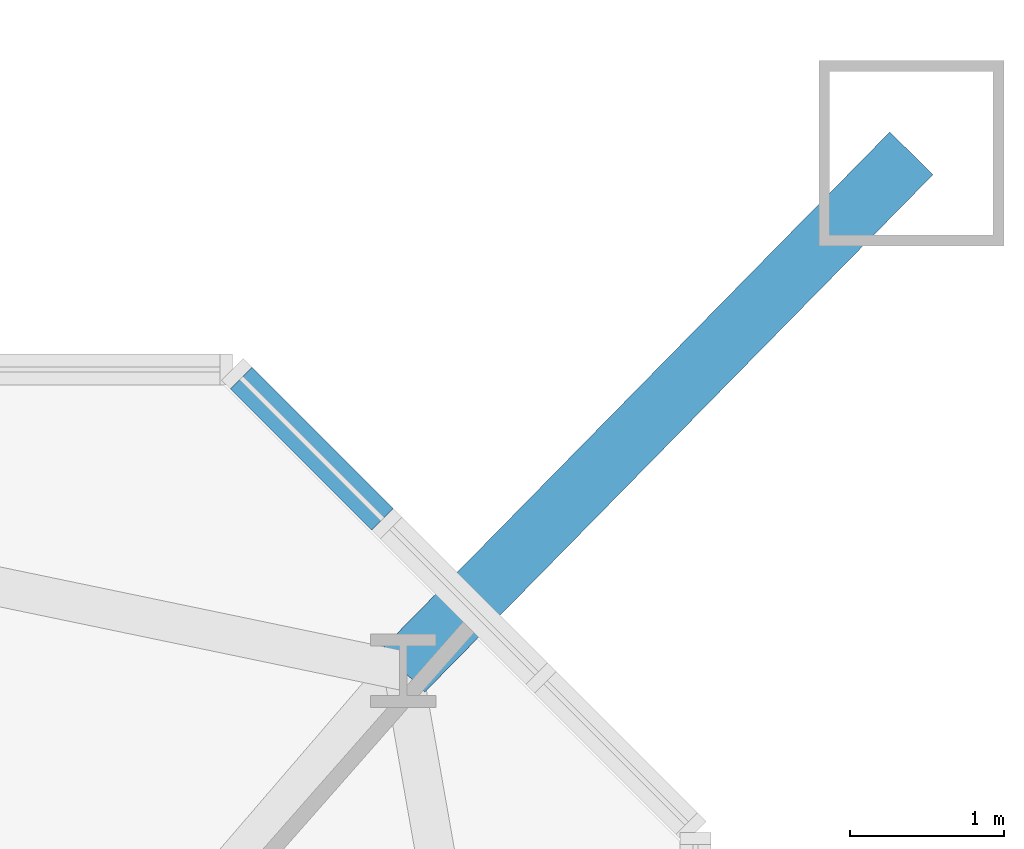
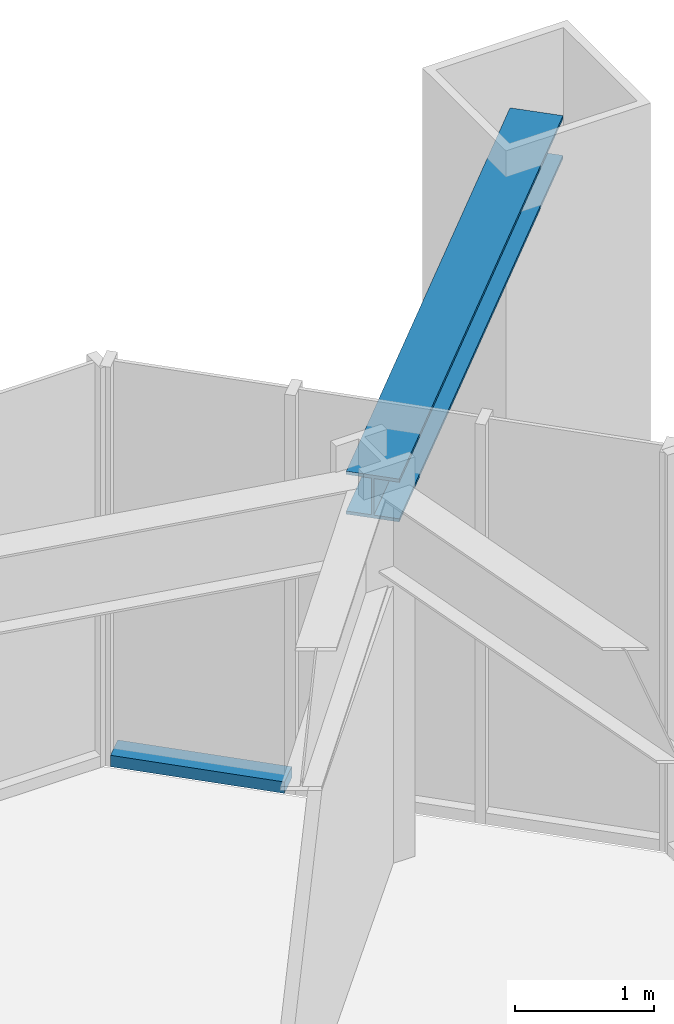
# One storey, part 11 of 26: 2 members, 1 element without a shape of its own.
"""IFC4 building model written with IfcOpenShell, lengths in metres."""

import ifcopenshell
import ifcopenshell.guid

model = None  # the IFC model being written
_history = None  # IfcOwnerHistory: only IFC2X3 demands one
_inside = {}  # id of a spatial element -> (the spatial element, [elements in it])
_under = {}  # id of a project, library or spatial element -> (it, [spatial elements below it])
_declared = {}  # id of a project -> (the project, [libraries it declares])
_typed = {}  # id of a type object -> (the type object, [elements of that type])
_made_of = {}  # id of a material, layer set ... -> (it, [elements and type objects made of it])


def new_model(schema):
    """Start an empty IFC model of exactly this schema.

    Asked for "IFC4X3", IfcOpenShell would pick the latest addendum, in which some entities
    have other attributes; the version numbers below select the first issue.
    IFC2X3 requires an IfcOwnerHistory on every rooted entity: one is made here for all.
    """
    global model, _history
    if schema == "IFC4X3":
        model = ifcopenshell.file(schema_version=(4, 3, 0, 0))
    else:
        model = ifcopenshell.file(schema=schema)
    _inside.clear()
    _under.clear()
    _declared.clear()
    _typed.clear()
    _made_of.clear()
    _history = None
    if model.schema == "IFC2X3":
        org = make("IfcOrganization", Name="unknown")
        user = make(
            "IfcPersonAndOrganization",
            ThePerson=make("IfcPerson", FamilyName="unknown"),
            TheOrganization=org,
        )
        app = make(
            "IfcApplication",
            ApplicationDeveloper=org,
            Version="unknown",
            ApplicationFullName="unknown",
            ApplicationIdentifier="unknown",
        )
        _history = make(
            "IfcOwnerHistory",
            OwningUser=user,
            OwningApplication=app,
            ChangeAction="ADDED",
            CreationDate=0,
        )
    return model


def make(cls, **values):
    """One entity of the class cls with the attributes given. An attribute that is None is left unset."""
    return model.create_entity(
        cls, **{name: value for name, value in values.items() if value is not None}
    )


def rooted(cls, **values):
    """An entity with a GlobalId (a new one), such as an element, a storey or a relation."""
    return make(cls, GlobalId=ifcopenshell.guid.new(), OwnerHistory=_history, **values)


def si_unit(unit_type, name, prefix=None):
    """IfcSIUnit, for example si_unit("LENGTHUNIT", "METRE", prefix="MILLI")."""
    return make("IfcSIUnit", UnitType=unit_type, Prefix=prefix, Name=name)


def assignment(units):
    """IfcUnitAssignment: the units of a project."""
    return None if units is None else make("IfcUnitAssignment", Units=units)


def point(xyz):
    """IfcCartesianPoint."""
    return None if xyz is None else make("IfcCartesianPoint", Coordinates=xyz)


def direction(xyz):
    """IfcDirection."""
    return None if xyz is None else make("IfcDirection", DirectionRatios=xyz)


def frame(location, z_axis=None, x_axis=None):
    """IfcAxis2Placement3D, a coordinate frame: its origin and axes. An axis left out is left unset."""
    return make(
        "IfcAxis2Placement3D",
        Location=point(location),
        Axis=direction(z_axis),
        RefDirection=direction(x_axis),
    )


def frame_2d(location, x_axis=None):
    """IfcAxis2Placement2D, a coordinate frame in the plane: its origin and x axis."""
    return make(
        "IfcAxis2Placement2D", Location=point(location), RefDirection=direction(x_axis)
    )


def origin():
    """The frame at (0, 0, 0) with its axes left unset."""
    return frame((0.0, 0.0, 0.0))


def origin_2d():
    """The frame at (0, 0) in the plane with its x axis left unset."""
    return frame_2d((0.0, 0.0))


def place(relative_to, where):
    """IfcLocalPlacement: puts the frame where relative to a parent placement (None: the world)."""
    return make(
        "IfcLocalPlacement", PlacementRelTo=relative_to, RelativePlacement=where
    )


def context(
    kind, dimensions, precision=None, world=None, true_north=None, identifier=None
):
    """IfcGeometricRepresentationContext, for example the 3D "Model" context."""
    return make(
        "IfcGeometricRepresentationContext",
        ContextIdentifier=identifier,
        ContextType=kind,
        CoordinateSpaceDimension=dimensions,
        Precision=precision,
        WorldCoordinateSystem=world,
        TrueNorth=true_north,
    )


def subcontext(parent, identifier, kind, view, scale=None):
    """IfcGeometricRepresentationSubContext, for example "Body" below "Model"."""
    return make(
        "IfcGeometricRepresentationSubContext",
        ContextIdentifier=identifier,
        ContextType=kind,
        ParentContext=parent,
        TargetScale=scale,
        TargetView=view,
    )


def project(units=None, contexts=None):
    """IfcProject with its units and contexts."""
    return rooted(
        "IfcProject",
        Name="project",
        RepresentationContexts=contexts,
        UnitsInContext=assignment(units),
    )


def spatial(cls, under=None, at=None, **own):
    """A site, building, storey or space (cls), placed at a placement, below another one or the project."""
    s = rooted(cls, ObjectPlacement=at, **own)
    if under is not None:
        _under.setdefault(under.id(), (under, []))[1].append(s)
    return s


def profile(cls, at=None, kind="AREA", **sizes):
    """A parametric profile (cls). Its sizes go by their IFC names, for example OverallWidth=200.0."""
    return make(cls, ProfileType=kind, Position=at, **sizes)


def rectangle(**sizes):
    """IfcRectangleProfileDef."""
    return profile("IfcRectangleProfileDef", **sizes)


def i_section(**sizes):
    """IfcIShapeProfileDef."""
    return profile("IfcIShapeProfileDef", **sizes)


def extrude(swept, where, along, depth):
    """IfcExtrudedAreaSolid: the profile swept, set in the frame where, extruded along a direction by depth."""
    return make(
        "IfcExtrudedAreaSolid",
        SweptArea=swept,
        Position=where,
        ExtrudedDirection=direction(along),
        Depth=depth,
    )


def shape(context_of_items, identifier, shape_type, items):
    """IfcShapeRepresentation: the items that make up one representation, for example the "Body"."""
    return make(
        "IfcShapeRepresentation",
        ContextOfItems=context_of_items,
        RepresentationIdentifier=identifier,
        RepresentationType=shape_type,
        Items=items,
    )


def material(Name=None, Category=None):
    """IfcMaterial."""
    return make("IfcMaterial", Name=Name, Category=Category)


def material_profile(
    of_material, cross_section, Name=None, Category=None, Priority=None
):
    """IfcMaterialProfile: a cross section and its material."""
    return make(
        "IfcMaterialProfile",
        Name=Name,
        Material=of_material,
        Profile=cross_section,
        Priority=Priority,
        Category=Category,
    )


def profile_set(profiles, Name=None, composite=None):
    """IfcMaterialProfileSet."""
    return make(
        "IfcMaterialProfileSet",
        Name=Name,
        MaterialProfiles=profiles,
        CompositeProfile=composite,
    )


def made_of(thing, what):
    """Note that an element or type object is made of a material, layer set ...; save() writes the relation."""
    if what is not None:
        _made_of.setdefault(what.id(), (what, []))[1].append(thing)
    return thing


def type_object(cls, material=None, **own):
    """A type object (cls), such as IfcWallType, which elements share."""
    return made_of(rooted(cls, **own), material)


def element(
    cls,
    number,
    at=None,
    inside=None,
    cuts=None,
    type_object=None,
    material=None,
    context=None,
    identifier="Body",
    shape_type=None,
    held_by="IfcProductDefinitionShape",
    body=None,
    shapes=None,
    **own,
):
    """One element of the class cls, such as IfcWall. Its Tag is "e" and its number.

    at: its placement. inside: the storey or other place that contains it. cuts: it is an
    opening in that element (IfcRelVoidsElement). A single representation is given by context,
    identifier, shape_type and body (its items); several are given by shapes. held_by: the class
    of the entity that holds the representations. save() writes the other relations.
    """
    e = rooted(cls, Tag="e%d" % number, ObjectPlacement=at, **own)
    if body is not None:
        shapes = [shape(context, identifier, shape_type, body)]
    if shapes is not None:
        e.Representation = make(held_by, Representations=shapes)
    if inside is not None:
        _inside.setdefault(inside.id(), (inside, []))[1].append(e)
    if cuts is not None:
        rooted(
            "IfcRelVoidsElement", RelatingBuildingElement=cuts, RelatedOpeningElement=e
        )
    if type_object is not None:
        _typed.setdefault(type_object.id(), (type_object, []))[1].append(e)
    return made_of(e, material)


def aggregate(whole, parts):
    """IfcRelAggregates: a whole, such as a stair, and the parts it consists of."""
    return rooted("IfcRelAggregates", RelatingObject=whole, RelatedObjects=parts)


def save(model, path):
    """Write the relations noted so far, then the file.

    IfcRelAggregates (storeys below a building ...), IfcRelContainedInSpatialStructure (elements
    in a storey), IfcRelDefinesByType, IfcRelAssociatesMaterial and IfcRelDeclares: one each for
    every whole, place, type object, material and project.
    """
    for whole, parts in _under.values():
        aggregate(whole, parts)
    for where, things in _inside.values():
        rooted(
            "IfcRelContainedInSpatialStructure",
            RelatedElements=things,
            RelatingStructure=where,
        )
    for kind, things in _typed.values():
        rooted("IfcRelDefinesByType", RelatedObjects=things, RelatingType=kind)
    for what, things in _made_of.values():
        rooted("IfcRelAssociatesMaterial", RelatedObjects=things, RelatingMaterial=what)
    for by, libraries in _declared.values():
        rooted("IfcRelDeclares", RelatingContext=by, RelatedDefinitions=libraries)
    model.write(path)


model = new_model("IFC4")

# Units and contexts
model_context = context("Model", 3, precision=1e-05, world=origin(), true_north=direction((0.0, 1.0)))
body_context = subcontext(model_context, "Body", "Model", "MODEL_VIEW")
ifc_project = project(units=[si_unit("LENGTHUNIT", "METRE"), si_unit("AREAUNIT", "SQUARE_METRE"), si_unit("VOLUMEUNIT", "CUBIC_METRE"), si_unit("PLANEANGLEUNIT", "RADIAN"), si_unit("MASSUNIT", "GRAM", prefix="KILO")], contexts=[model_context])

# Site, building, storey
site_placement = place(None, origin())
site = spatial("IfcSite", under=ifc_project, at=site_placement, CompositionType="ELEMENT")
building_placement = place(site_placement, origin())
building = spatial("IfcBuilding", under=site, at=building_placement, Name="Iwan Alto Co-Living Towers", CompositionType="ELEMENT")
storey_placement = place(building_placement, frame((0.0, 0.0, 32.5)))
storey = spatial("IfcBuildingStorey", under=building, at=storey_placement, Name="L08", CompositionType="ELEMENT", Elevation=32.5)

# Curtain wall, member
ifc_material_1 = material(Name="Bronze aluminium unitised frame", Category="aluminium")
curtain_wall_type = type_object("IfcCurtainWallType", Name="CURTAIN WALL CW-D", PredefinedType="NOTDEFINED", material=ifc_material_1)
curtain_wall_placement = place(storey_placement, origin())
curtain_wall = element("IfcCurtainWall", 1, at=curtain_wall_placement, inside=storey, type_object=curtain_wall_type, Name="T2 chamfer curtain wall NE L08", PredefinedType="NOTDEFINED")
ifc_material_2 = material(Name="Aluminium 6063-T6 bronze anodised", Category="aluminium")
ifc_material_profile_1 = material_profile(ifc_material_2, rectangle(XDim=0.199951171875, YDim=0.10009765625, at=origin_2d()), Name="AL 200X100")
ifc_profile_set_1 = profile_set([ifc_material_profile_1], Name="Aluminium 6063-T6 bronze anodised")
member_type_1 = type_object("IfcMemberType", Name="CW-D TRANSOM 200X100", PredefinedType="USERDEFINED", material=ifc_profile_set_1)
member_1_placement = place(storey_placement, frame((77.4716796875, 17.7783203125, 0.050048828125), z_axis=(-0.707106781187, 0.707106781187, 0.0), x_axis=(-0.707106781187, -0.707106781187, 0.0)))
member_1 = element("IfcMember", 2, at=member_1_placement, type_object=member_type_1, Name="CW-D transom 3.1", ObjectType="TRANSOM", PredefinedType="USERDEFINED", context=body_context, shape_type="SweptSolid", body=[
    extrude(rectangle(XDim=0.199951171875, YDim=0.10009765625, at=origin_2d()), origin(), (0.0, 0.0, 1.0), 1.2939453125),
])
aggregate(curtain_wall, [member_1])

# Member
ifc_material_3 = material(Name="Steel ASTM A992 Gr 50", Category="steel")
ifc_material_profile_2 = material_profile(ifc_material_3, i_section(OverallWidth=0.393798828125, OverallDepth=0.3759765625, WebThickness=0.017333984375, FlangeThickness=0.027587890625, at=origin_2d()), Name="W14X145")
ifc_profile_set_2 = profile_set([ifc_material_profile_2], Name="Steel ASTM A992 Gr 50")
member_type_2 = type_object("IfcMemberType", Name="T2 MEGA COLUMN FLOOR TIE W14X145", PredefinedType="STRUT", material=ifc_profile_set_2)
member_2_placement = place(storey_placement, frame((80.89990234375, 20.14990234375, 3.08203125), z_axis=(-0.700793469544, -0.71336422187, 0.0), x_axis=(0.71336422187, -0.700793469544, 0.0)))
element("IfcMember", 3, at=member_2_placement, inside=storey, type_object=member_type_2, Name="T2 mega column floor tie NE L09", PredefinedType="STRUT", context=body_context, shape_type="SweptSolid", body=[
    extrude(i_section(OverallWidth=0.393798828125, OverallDepth=0.3759765625, WebThickness=0.017333984375, FlangeThickness=0.027587890625, at=origin_2d()), origin(), (0.0, 0.0, 1.0), 4.699951171875),
])

save(model, "model.ifc")
